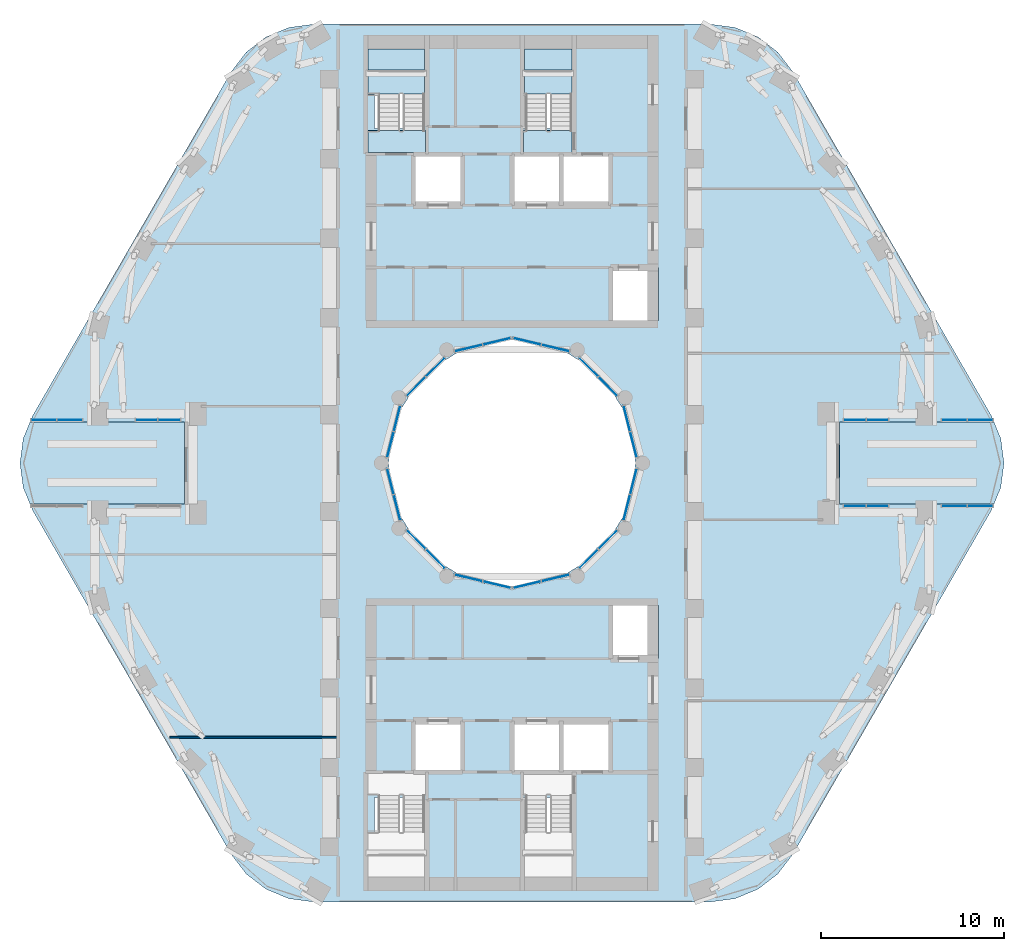
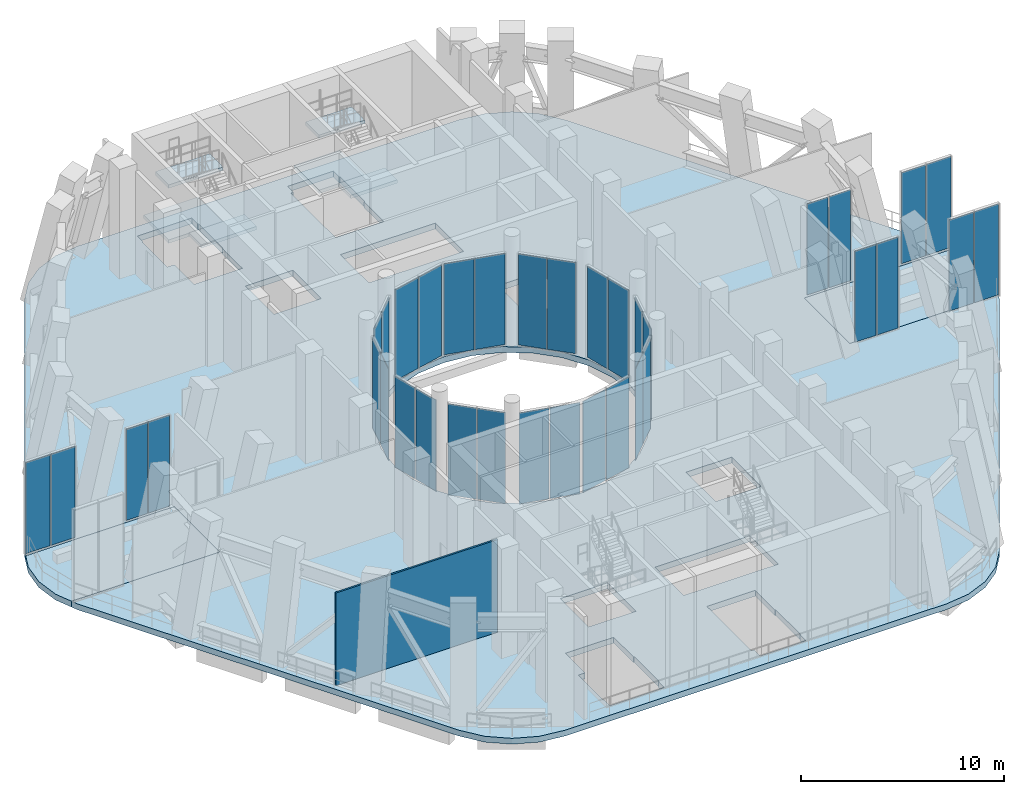
# One storey, part 7 of 19: 36 plates, 9 slabs, 1 wall, 20 elements without a shape of their own.
"""IFC4 building model written with IfcOpenShell, lengths in metres."""

from ifc_helpers import new_model, si_unit, direction, frame, frame_2d, origin, origin_2d, place, context, subcontext, project, spatial, polyline, rectangle, outline, extrude, material, layer, layer_set, type_object, element, aggregate, save


model = new_model("IFC4")

# Units and contexts
model_context = context("Model", 3, precision=1e-05, world=origin(), true_north=direction((0.0, 1.0)))
body_context = subcontext(model_context, "Body", "Model", "MODEL_VIEW")
ifc_project = project(units=[si_unit("LENGTHUNIT", "METRE"), si_unit("AREAUNIT", "SQUARE_METRE"), si_unit("VOLUMEUNIT", "CUBIC_METRE"), si_unit("PLANEANGLEUNIT", "RADIAN"), si_unit("MASSUNIT", "GRAM", prefix="KILO")], contexts=[model_context])

# Site, building, storey
site_placement = place(None, origin())
site = spatial("IfcSite", under=ifc_project, at=site_placement, CompositionType="ELEMENT")
building_placement = place(site_placement, origin())
building = spatial("IfcBuilding", under=site, at=building_placement, Name="Nakaniwa Court", CompositionType="ELEMENT")
storey_placement = place(building_placement, frame((0.0, 0.0, 170.10009765625)))
storey = spatial("IfcBuildingStorey", under=building, at=storey_placement, Name="S3", CompositionType="ELEMENT", Elevation=170.10009765625)

# Curtain wall, plates
ifc_material_1 = material(Name="Black anodised aluminium frame with dark low-E laminated double glazing", Category="aluminium")
ifc_layer_1 = layer(ifc_material_1, 0.199951171875)
ifc_layer_set_1 = layer_set([ifc_layer_1], Name="Black anodised aluminium frame with dark low-E laminated double glazing")
curtain_wall_type = type_object("IfcCurtainWallType", Name="Amenity and sky level curtain wall", PredefinedType="NOTDEFINED", material=ifc_layer_set_1)
curtain_wall_1_placement = place(storey_placement, origin())
curtain_wall_1 = element("IfcCurtainWall", 1, at=curtain_wall_1_placement, inside=storey, type_object=curtain_wall_type, Name="S3 curtain wall CW3 36", PredefinedType="NOTDEFINED")
ifc_material_2 = material(Name="Dark toughened glass", Category="glass")
ifc_layer_2 = layer(ifc_material_2, 0.006, Name="Outer pane")
ifc_material_3 = material(Name="Argon filled cavity")
ifc_layer_3 = layer(ifc_material_3, 0.016, Name="Cavity")
ifc_material_4 = material(Name="Dark laminated safety glass", Category="glass")
ifc_layer_4 = layer(ifc_material_4, 0.006, Name="Inner pane")
ifc_layer_set_2 = layer_set([ifc_layer_2, ifc_layer_3, ifc_layer_4], Name="Dark low-E laminated double glazing")
plate_type = type_object("IfcPlateType", Name="Amenity and sky level curtain wall glass panel", PredefinedType="CURTAIN_PANEL", material=ifc_layer_set_2)
plate_1_placement = place(storey_placement, frame((86.64697265625, 78.99365234375, 0.054931640625), z_axis=(0.0, 0.0, 1.0), x_axis=(-0.247113807661, -0.968986463302, 0.0)))
plate_1 = element("IfcPlate", 2, at=plate_1_placement, type_object=plate_type, Name="CW3 panel 1.1", PredefinedType="CURTAIN_PANEL", context=body_context, shape_type="SweptSolid", body=[
    extrude(rectangle(XDim=1.42236328125, YDim=0.028076171875, at=origin_2d()), origin(), (0.0, 0.0, 1.0), 5.47998046875),
])
plate_2_placement = place(storey_placement, frame((86.28173828125, 77.56201171875, 0.054931640625), z_axis=(0.0, 0.0, 1.0), x_axis=(-0.247113807661, -0.968986463302, 0.0)))
plate_2 = element("IfcPlate", 3, at=plate_2_placement, type_object=plate_type, Name="CW3 panel 2.1", PredefinedType="CURTAIN_PANEL", context=body_context, shape_type="SweptSolid", body=[
    extrude(rectangle(XDim=1.42236328125, YDim=0.028076171875, at=origin_2d()), origin(), (0.0, 0.0, 1.0), 5.47998046875),
])
aggregate(curtain_wall_1, [plate_1, plate_2])

curtain_wall_2_placement = place(storey_placement, origin())
curtain_wall_2 = element("IfcCurtainWall", 4, at=curtain_wall_2_placement, inside=storey, type_object=curtain_wall_type, Name="S3 curtain wall CW3 37", PredefinedType="NOTDEFINED")
plate_3_placement = place(storey_placement, frame((85.241943359375, 75.810791015625, 0.054931640625), z_axis=(0.0, 0.0, 1.0), x_axis=(-0.707106781187, -0.707106781187, 0.0)))
plate_3 = element("IfcPlate", 5, at=plate_3_placement, type_object=plate_type, Name="CW3 panel 1.1", PredefinedType="CURTAIN_PANEL", context=body_context, shape_type="SweptSolid", body=[
    extrude(rectangle(XDim=1.43408203125, YDim=0.028076171875, at=origin_2d()), origin(), (0.0, 0.0, 1.0), 5.47998046875),
])
plate_4_placement = place(storey_placement, frame((84.189208984375, 74.758056640625, 0.054931640625), z_axis=(0.0, 0.0, 1.0), x_axis=(-0.707106781187, -0.707106781187, 0.0)))
plate_4 = element("IfcPlate", 6, at=plate_4_placement, type_object=plate_type, Name="CW3 panel 2.1", PredefinedType="CURTAIN_PANEL", context=body_context, shape_type="SweptSolid", body=[
    extrude(rectangle(XDim=1.43408203125, YDim=0.028076171875, at=origin_2d()), origin(), (0.0, 0.0, 1.0), 5.47998046875),
])
aggregate(curtain_wall_2, [plate_3, plate_4])

curtain_wall_3_placement = place(storey_placement, origin())
curtain_wall_3 = element("IfcCurtainWall", 7, at=curtain_wall_3_placement, inside=storey, type_object=curtain_wall_type, Name="S3 curtain wall CW3 38", PredefinedType="NOTDEFINED")
plate_5_placement = place(storey_placement, frame((82.377685546875, 73.713623046875, 0.054931640625), z_axis=(0.0, 0.0, 1.0), x_axis=(-0.972765537081, -0.231791306712, 0.0)))
plate_5 = element("IfcPlate", 8, at=plate_5_placement, type_object=plate_type, Name="CW3 panel 1.1", PredefinedType="CURTAIN_PANEL", context=body_context, shape_type="SweptSolid", body=[
    extrude(rectangle(XDim=1.540283203125, YDim=0.028076171875, at=origin_2d()), origin(), (0.0, 0.0, 1.0), 5.47998046875),
])
plate_6_placement = place(storey_placement, frame((80.825927734375, 73.343994140625, 0.054931640625), z_axis=(0.0, 0.0, 1.0), x_axis=(-0.972765537081, -0.231791306712, 0.0)))
plate_6 = element("IfcPlate", 9, at=plate_6_placement, type_object=plate_type, Name="CW3 panel 2.1", PredefinedType="CURTAIN_PANEL", context=body_context, shape_type="SweptSolid", body=[
    extrude(rectangle(XDim=1.540283203125, YDim=0.028076171875, at=origin_2d()), origin(), (0.0, 0.0, 1.0), 5.47998046875),
])
aggregate(curtain_wall_3, [plate_5, plate_6])

curtain_wall_4_placement = place(storey_placement, origin())
curtain_wall_4 = element("IfcCurtainWall", 10, at=curtain_wall_4_placement, inside=storey, type_object=curtain_wall_type, Name="S3 curtain wall CW3 39", PredefinedType="NOTDEFINED")
plate_7_placement = place(storey_placement, frame((79.174072265625, 73.343994140625, 0.054931640625), z_axis=(0.0, 0.0, 1.0), x_axis=(-0.972765537081, 0.231791306712, 0.0)))
plate_7 = element("IfcPlate", 11, at=plate_7_placement, type_object=plate_type, Name="CW3 panel 1.1", PredefinedType="CURTAIN_PANEL", context=body_context, shape_type="SweptSolid", body=[
    extrude(rectangle(XDim=1.540283203125, YDim=0.028076171875, at=origin_2d()), origin(), (0.0, 0.0, 1.0), 5.47998046875),
])
plate_8_placement = place(storey_placement, frame((77.622314453125, 73.713623046875, 0.054931640625), z_axis=(0.0, 0.0, 1.0), x_axis=(-0.972765537081, 0.231791306712, 0.0)))
plate_8 = element("IfcPlate", 12, at=plate_8_placement, type_object=plate_type, Name="CW3 panel 2.1", PredefinedType="CURTAIN_PANEL", context=body_context, shape_type="SweptSolid", body=[
    extrude(rectangle(XDim=1.540283203125, YDim=0.028076171875, at=origin_2d()), origin(), (0.0, 0.0, 1.0), 5.47998046875),
])
aggregate(curtain_wall_4, [plate_7, plate_8])

curtain_wall_5_placement = place(storey_placement, origin())
curtain_wall_5 = element("IfcCurtainWall", 13, at=curtain_wall_5_placement, inside=storey, type_object=curtain_wall_type, Name="S3 curtain wall CW3 40", PredefinedType="NOTDEFINED")
plate_9_placement = place(storey_placement, frame((75.810791015625, 74.758056640625, 0.054931640625), z_axis=(0.0, 0.0, 1.0), x_axis=(-0.707106781187, 0.707106781187, 0.0)))
plate_9 = element("IfcPlate", 14, at=plate_9_placement, type_object=plate_type, Name="CW3 panel 1.1", PredefinedType="CURTAIN_PANEL", context=body_context, shape_type="SweptSolid", body=[
    extrude(rectangle(XDim=1.43408203125, YDim=0.028076171875, at=origin_2d()), origin(), (0.0, 0.0, 1.0), 5.47998046875),
])
plate_10_placement = place(storey_placement, frame((74.758056640625, 75.810791015625, 0.054931640625), z_axis=(0.0, 0.0, 1.0), x_axis=(-0.707106781187, 0.707106781187, 0.0)))
plate_10 = element("IfcPlate", 15, at=plate_10_placement, type_object=plate_type, Name="CW3 panel 2.1", PredefinedType="CURTAIN_PANEL", context=body_context, shape_type="SweptSolid", body=[
    extrude(rectangle(XDim=1.43408203125, YDim=0.028076171875, at=origin_2d()), origin(), (0.0, 0.0, 1.0), 5.47998046875),
])
aggregate(curtain_wall_5, [plate_9, plate_10])

curtain_wall_6_placement = place(storey_placement, origin())
curtain_wall_6 = element("IfcCurtainWall", 16, at=curtain_wall_6_placement, inside=storey, type_object=curtain_wall_type, Name="S3 curtain wall CW3 41", PredefinedType="NOTDEFINED")
plate_11_placement = place(storey_placement, frame((73.71826171875, 77.56201171875, 0.054931640625), z_axis=(0.0, 0.0, 1.0), x_axis=(-0.247113807661, 0.968986463302, 0.0)))
plate_11 = element("IfcPlate", 17, at=plate_11_placement, type_object=plate_type, Name="CW3 panel 1.1", PredefinedType="CURTAIN_PANEL", context=body_context, shape_type="SweptSolid", body=[
    extrude(rectangle(XDim=1.42236328125, YDim=0.028076171875, at=origin_2d()), origin(), (0.0, 0.0, 1.0), 5.47998046875),
])
plate_12_placement = place(storey_placement, frame((73.35302734375, 78.99365234375, 0.054931640625), z_axis=(0.0, 0.0, 1.0), x_axis=(-0.247113807661, 0.968986463302, 0.0)))
plate_12 = element("IfcPlate", 18, at=plate_12_placement, type_object=plate_type, Name="CW3 panel 2.1", PredefinedType="CURTAIN_PANEL", context=body_context, shape_type="SweptSolid", body=[
    extrude(rectangle(XDim=1.42236328125, YDim=0.028076171875, at=origin_2d()), origin(), (0.0, 0.0, 1.0), 5.47998046875),
])
aggregate(curtain_wall_6, [plate_11, plate_12])

curtain_wall_7_placement = place(storey_placement, origin())
curtain_wall_7 = element("IfcCurtainWall", 19, at=curtain_wall_7_placement, inside=storey, type_object=curtain_wall_type, Name="S3 curtain wall CW3 42", PredefinedType="NOTDEFINED")
plate_13_placement = place(storey_placement, frame((73.35302734375, 81.00634765625, 0.054931640625), z_axis=(0.0, 0.0, 1.0), x_axis=(0.247113807661, 0.968986463302, 0.0)))
plate_13 = element("IfcPlate", 20, at=plate_13_placement, type_object=plate_type, Name="CW3 panel 1.1", PredefinedType="CURTAIN_PANEL", context=body_context, shape_type="SweptSolid", body=[
    extrude(rectangle(XDim=1.42236328125, YDim=0.028076171875, at=origin_2d()), origin(), (0.0, 0.0, 1.0), 5.47998046875),
])
plate_14_placement = place(storey_placement, frame((73.71826171875, 82.43798828125, 0.054931640625), z_axis=(0.0, 0.0, 1.0), x_axis=(0.247113807661, 0.968986463302, 0.0)))
plate_14 = element("IfcPlate", 21, at=plate_14_placement, type_object=plate_type, Name="CW3 panel 2.1", PredefinedType="CURTAIN_PANEL", context=body_context, shape_type="SweptSolid", body=[
    extrude(rectangle(XDim=1.42236328125, YDim=0.028076171875, at=origin_2d()), origin(), (0.0, 0.0, 1.0), 5.47998046875),
])
aggregate(curtain_wall_7, [plate_13, plate_14])

curtain_wall_8_placement = place(storey_placement, origin())
curtain_wall_8 = element("IfcCurtainWall", 22, at=curtain_wall_8_placement, inside=storey, type_object=curtain_wall_type, Name="S3 curtain wall CW3 43", PredefinedType="NOTDEFINED")
plate_15_placement = place(storey_placement, frame((74.758056640625, 84.189208984375, 0.054931640625), z_axis=(0.0, 0.0, 1.0), x_axis=(0.707106781187, 0.707106781187, 0.0)))
plate_15 = element("IfcPlate", 23, at=plate_15_placement, type_object=plate_type, Name="CW3 panel 1.1", PredefinedType="CURTAIN_PANEL", context=body_context, shape_type="SweptSolid", body=[
    extrude(rectangle(XDim=1.43408203125, YDim=0.028076171875, at=origin_2d()), origin(), (0.0, 0.0, 1.0), 5.47998046875),
])
plate_16_placement = place(storey_placement, frame((75.810791015625, 85.241943359375, 0.054931640625), z_axis=(0.0, 0.0, 1.0), x_axis=(0.707106781187, 0.707106781187, 0.0)))
plate_16 = element("IfcPlate", 24, at=plate_16_placement, type_object=plate_type, Name="CW3 panel 2.1", PredefinedType="CURTAIN_PANEL", context=body_context, shape_type="SweptSolid", body=[
    extrude(rectangle(XDim=1.43408203125, YDim=0.028076171875, at=origin_2d()), origin(), (0.0, 0.0, 1.0), 5.47998046875),
])
aggregate(curtain_wall_8, [plate_15, plate_16])

curtain_wall_9_placement = place(storey_placement, origin())
curtain_wall_9 = element("IfcCurtainWall", 25, at=curtain_wall_9_placement, inside=storey, type_object=curtain_wall_type, Name="S3 curtain wall CW3 44", PredefinedType="NOTDEFINED")
plate_17_placement = place(storey_placement, frame((77.622314453125, 86.286376953125, 0.054931640625), z_axis=(0.0, 0.0, 1.0), x_axis=(0.972765537081, 0.231791306712, 0.0)))
plate_17 = element("IfcPlate", 26, at=plate_17_placement, type_object=plate_type, Name="CW3 panel 1.1", PredefinedType="CURTAIN_PANEL", context=body_context, shape_type="SweptSolid", body=[
    extrude(rectangle(XDim=1.540283203125, YDim=0.028076171875, at=origin_2d()), origin(), (0.0, 0.0, 1.0), 5.47998046875),
])
plate_18_placement = place(storey_placement, frame((79.174072265625, 86.656005859375, 0.054931640625), z_axis=(0.0, 0.0, 1.0), x_axis=(0.972765537081, 0.231791306712, 0.0)))
plate_18 = element("IfcPlate", 27, at=plate_18_placement, type_object=plate_type, Name="CW3 panel 2.1", PredefinedType="CURTAIN_PANEL", context=body_context, shape_type="SweptSolid", body=[
    extrude(rectangle(XDim=1.540283203125, YDim=0.028076171875, at=origin_2d()), origin(), (0.0, 0.0, 1.0), 5.47998046875),
])
aggregate(curtain_wall_9, [plate_17, plate_18])

curtain_wall_10_placement = place(storey_placement, origin())
curtain_wall_10 = element("IfcCurtainWall", 28, at=curtain_wall_10_placement, inside=storey, type_object=curtain_wall_type, Name="S3 curtain wall CW3 45", PredefinedType="NOTDEFINED")
plate_19_placement = place(storey_placement, frame((80.825927734375, 86.656005859375, 0.054931640625), z_axis=(0.0, 0.0, 1.0), x_axis=(0.972765537081, -0.231791306712, 0.0)))
plate_19 = element("IfcPlate", 29, at=plate_19_placement, type_object=plate_type, Name="CW3 panel 1.1", PredefinedType="CURTAIN_PANEL", context=body_context, shape_type="SweptSolid", body=[
    extrude(rectangle(XDim=1.540283203125, YDim=0.028076171875, at=origin_2d()), origin(), (0.0, 0.0, 1.0), 5.47998046875),
])
plate_20_placement = place(storey_placement, frame((82.377685546875, 86.286376953125, 0.054931640625), z_axis=(0.0, 0.0, 1.0), x_axis=(0.972765537081, -0.231791306712, 0.0)))
plate_20 = element("IfcPlate", 30, at=plate_20_placement, type_object=plate_type, Name="CW3 panel 2.1", PredefinedType="CURTAIN_PANEL", context=body_context, shape_type="SweptSolid", body=[
    extrude(rectangle(XDim=1.540283203125, YDim=0.028076171875, at=origin_2d()), origin(), (0.0, 0.0, 1.0), 5.47998046875),
])
aggregate(curtain_wall_10, [plate_19, plate_20])

curtain_wall_11_placement = place(storey_placement, origin())
curtain_wall_11 = element("IfcCurtainWall", 31, at=curtain_wall_11_placement, inside=storey, type_object=curtain_wall_type, Name="S3 curtain wall CW3 46", PredefinedType="NOTDEFINED")
plate_21_placement = place(storey_placement, frame((84.189208984375, 85.241943359375, 0.054931640625), z_axis=(0.0, 0.0, 1.0), x_axis=(0.707106781187, -0.707106781187, 0.0)))
plate_21 = element("IfcPlate", 32, at=plate_21_placement, type_object=plate_type, Name="CW3 panel 1.1", PredefinedType="CURTAIN_PANEL", context=body_context, shape_type="SweptSolid", body=[
    extrude(rectangle(XDim=1.43408203125, YDim=0.028076171875, at=origin_2d()), origin(), (0.0, 0.0, 1.0), 5.47998046875),
])
plate_22_placement = place(storey_placement, frame((85.241943359375, 84.189208984375, 0.054931640625), z_axis=(0.0, 0.0, 1.0), x_axis=(0.707106781187, -0.707106781187, 0.0)))
plate_22 = element("IfcPlate", 33, at=plate_22_placement, type_object=plate_type, Name="CW3 panel 2.1", PredefinedType="CURTAIN_PANEL", context=body_context, shape_type="SweptSolid", body=[
    extrude(rectangle(XDim=1.43408203125, YDim=0.028076171875, at=origin_2d()), origin(), (0.0, 0.0, 1.0), 5.47998046875),
])
aggregate(curtain_wall_11, [plate_21, plate_22])

curtain_wall_12_placement = place(storey_placement, origin())
curtain_wall_12 = element("IfcCurtainWall", 34, at=curtain_wall_12_placement, inside=storey, type_object=curtain_wall_type, Name="S3 curtain wall CW3 47", PredefinedType="NOTDEFINED")
plate_23_placement = place(storey_placement, frame((86.28173828125, 82.43798828125, 0.054931640625), z_axis=(0.0, 0.0, 1.0), x_axis=(0.247113807661, -0.968986463302, 0.0)))
plate_23 = element("IfcPlate", 35, at=plate_23_placement, type_object=plate_type, Name="CW3 panel 1.1", PredefinedType="CURTAIN_PANEL", context=body_context, shape_type="SweptSolid", body=[
    extrude(rectangle(XDim=1.42236328125, YDim=0.028076171875, at=origin_2d()), origin(), (0.0, 0.0, 1.0), 5.47998046875),
])
plate_24_placement = place(storey_placement, frame((86.64697265625, 81.00634765625, 0.054931640625), z_axis=(0.0, 0.0, 1.0), x_axis=(0.247113807661, -0.968986463302, 0.0)))
plate_24 = element("IfcPlate", 36, at=plate_24_placement, type_object=plate_type, Name="CW3 panel 2.1", PredefinedType="CURTAIN_PANEL", context=body_context, shape_type="SweptSolid", body=[
    extrude(rectangle(XDim=1.42236328125, YDim=0.028076171875, at=origin_2d()), origin(), (0.0, 0.0, 1.0), 5.47998046875),
])
aggregate(curtain_wall_12, [plate_23, plate_24])

curtain_wall_13_placement = place(storey_placement, origin())
curtain_wall_13 = element("IfcCurtainWall", 37, at=curtain_wall_13_placement, inside=storey, type_object=curtain_wall_type, Name="S3 curtain wall CW3 15", PredefinedType="NOTDEFINED")
plate_25_placement = place(storey_placement, frame((54.385498046875, 82.35009765625, 0.054931640625), z_axis=(0.0, 0.0, 1.0), x_axis=(1.0, 0.0, 0.0)))
plate_25 = element("IfcPlate", 38, at=plate_25_placement, type_object=plate_type, Name="CW3 panel 1.1", PredefinedType="CURTAIN_PANEL", context=body_context, shape_type="SweptSolid", body=[
    extrude(rectangle(XDim=1.374267578125, YDim=0.028076171875, at=origin_2d()), origin(), (0.0, 0.0, 1.0), 5.47998046875),
])
plate_26_placement = place(storey_placement, frame((55.814697265625, 82.35009765625, 0.054931640625), z_axis=(0.0, 0.0, 1.0), x_axis=(1.0, 0.0, 0.0)))
plate_26 = element("IfcPlate", 39, at=plate_26_placement, type_object=plate_type, Name="CW3 panel 2.1", PredefinedType="CURTAIN_PANEL", context=body_context, shape_type="SweptSolid", body=[
    extrude(rectangle(XDim=1.374267578125, YDim=0.028076171875, at=origin_2d()), origin(), (0.0, 0.0, 1.0), 5.47998046875),
])
aggregate(curtain_wall_13, [plate_25, plate_26])

curtain_wall_14_placement = place(storey_placement, origin())
curtain_wall_14 = element("IfcCurtainWall", 40, at=curtain_wall_14_placement, inside=storey, type_object=curtain_wall_type, Name="S3 curtain wall CW3 16", PredefinedType="NOTDEFINED")
plate_27_placement = place(storey_placement, frame((60.01123046875, 82.35009765625, 0.054931640625), z_axis=(0.0, 0.0, 1.0), x_axis=(1.0, 0.0, 0.0)))
plate_27 = element("IfcPlate", 41, at=plate_27_placement, type_object=plate_type, Name="CW3 panel 1.1", PredefinedType="CURTAIN_PANEL", context=body_context, shape_type="SweptSolid", body=[
    extrude(rectangle(XDim=1.199951171875, YDim=0.028076171875, at=origin_2d()), origin(), (0.0, 0.0, 1.0), 5.47998046875),
])
plate_28_placement = place(storey_placement, frame((61.266357421875, 82.35009765625, 0.054931640625), z_axis=(0.0, 0.0, 1.0), x_axis=(1.0, 0.0, 0.0)))
plate_28 = element("IfcPlate", 42, at=plate_28_placement, type_object=plate_type, Name="CW3 panel 2.1", PredefinedType="CURTAIN_PANEL", context=body_context, shape_type="SweptSolid", body=[
    extrude(rectangle(XDim=1.199951171875, YDim=0.028076171875, at=origin_2d()), origin(), (0.0, 0.0, 1.0), 5.47998046875),
])
aggregate(curtain_wall_14, [plate_27, plate_28])

curtain_wall_15_placement = place(storey_placement, origin())
curtain_wall_15 = element("IfcCurtainWall", 43, at=curtain_wall_15_placement, inside=storey, type_object=curtain_wall_type, Name="S3 curtain wall CW3 00", PredefinedType="NOTDEFINED")
plate_29_placement = place(storey_placement, frame((98.733642578125, 82.35009765625, 0.054931640625), z_axis=(0.0, 0.0, 1.0), x_axis=(1.0, 0.0, 0.0)))
plate_29 = element("IfcPlate", 44, at=plate_29_placement, type_object=plate_type, Name="CW3 panel 1.1", PredefinedType="CURTAIN_PANEL", context=body_context, shape_type="SweptSolid", body=[
    extrude(rectangle(XDim=1.199951171875, YDim=0.028076171875, at=origin_2d()), origin(), (0.0, 0.0, 1.0), 5.47998046875),
])
plate_30_placement = place(storey_placement, frame((99.98876953125, 82.35009765625, 0.054931640625), z_axis=(0.0, 0.0, 1.0), x_axis=(1.0, 0.0, 0.0)))
plate_30 = element("IfcPlate", 45, at=plate_30_placement, type_object=plate_type, Name="CW3 panel 2.1", PredefinedType="CURTAIN_PANEL", context=body_context, shape_type="SweptSolid", body=[
    extrude(rectangle(XDim=1.199951171875, YDim=0.028076171875, at=origin_2d()), origin(), (0.0, 0.0, 1.0), 5.47998046875),
])
aggregate(curtain_wall_15, [plate_29, plate_30])

curtain_wall_16_placement = place(storey_placement, origin())
curtain_wall_16 = element("IfcCurtainWall", 46, at=curtain_wall_16_placement, inside=storey, type_object=curtain_wall_type, Name="S3 curtain wall CW3 01", PredefinedType="NOTDEFINED")
plate_31_placement = place(storey_placement, frame((104.185302734375, 82.35009765625, 0.054931640625), z_axis=(0.0, 0.0, 1.0), x_axis=(1.0, 0.0, 0.0)))
plate_31 = element("IfcPlate", 47, at=plate_31_placement, type_object=plate_type, Name="CW3 panel 1.1", PredefinedType="CURTAIN_PANEL", context=body_context, shape_type="SweptSolid", body=[
    extrude(rectangle(XDim=1.374267578125, YDim=0.028076171875, at=origin_2d()), origin(), (0.0, 0.0, 1.0), 5.47998046875),
])
plate_32_placement = place(storey_placement, frame((105.614501953125, 82.35009765625, 0.054931640625), z_axis=(0.0, 0.0, 1.0), x_axis=(1.0, 0.0, 0.0)))
plate_32 = element("IfcPlate", 48, at=plate_32_placement, type_object=plate_type, Name="CW3 panel 2.1", PredefinedType="CURTAIN_PANEL", context=body_context, shape_type="SweptSolid", body=[
    extrude(rectangle(XDim=1.374267578125, YDim=0.028076171875, at=origin_2d()), origin(), (0.0, 0.0, 1.0), 5.47998046875),
])
aggregate(curtain_wall_16, [plate_31, plate_32])

curtain_wall_17_placement = place(storey_placement, origin())
curtain_wall_17 = element("IfcCurtainWall", 49, at=curtain_wall_17_placement, inside=storey, type_object=curtain_wall_type, Name="S3 curtain wall CW3 33", PredefinedType="NOTDEFINED")
plate_33_placement = place(storey_placement, frame((105.614501953125, 77.64990234375, 0.054931640625), z_axis=(0.0, 0.0, 1.0), x_axis=(-1.0, 0.0, 0.0)))
plate_33 = element("IfcPlate", 50, at=plate_33_placement, type_object=plate_type, Name="CW3 panel 1.1", PredefinedType="CURTAIN_PANEL", context=body_context, shape_type="SweptSolid", body=[
    extrude(rectangle(XDim=1.374267578125, YDim=0.028076171875, at=origin_2d()), origin(), (0.0, 0.0, 1.0), 5.47998046875),
])
plate_34_placement = place(storey_placement, frame((104.185302734375, 77.64990234375, 0.054931640625), z_axis=(0.0, 0.0, 1.0), x_axis=(-1.0, 0.0, 0.0)))
plate_34 = element("IfcPlate", 51, at=plate_34_placement, type_object=plate_type, Name="CW3 panel 2.1", PredefinedType="CURTAIN_PANEL", context=body_context, shape_type="SweptSolid", body=[
    extrude(rectangle(XDim=1.374267578125, YDim=0.028076171875, at=origin_2d()), origin(), (0.0, 0.0, 1.0), 5.47998046875),
])
aggregate(curtain_wall_17, [plate_33, plate_34])

curtain_wall_18_placement = place(storey_placement, origin())
curtain_wall_18 = element("IfcCurtainWall", 52, at=curtain_wall_18_placement, inside=storey, type_object=curtain_wall_type, Name="S3 curtain wall CW3 34", PredefinedType="NOTDEFINED")
plate_35_placement = place(storey_placement, frame((99.98876953125, 77.64990234375, 0.054931640625), z_axis=(0.0, 0.0, 1.0), x_axis=(-1.0, 0.0, 0.0)))
plate_35 = element("IfcPlate", 53, at=plate_35_placement, type_object=plate_type, Name="CW3 panel 1.1", PredefinedType="CURTAIN_PANEL", context=body_context, shape_type="SweptSolid", body=[
    extrude(rectangle(XDim=1.199951171875, YDim=0.028076171875, at=origin_2d()), origin(), (0.0, 0.0, 1.0), 5.47998046875),
])
plate_36_placement = place(storey_placement, frame((98.733642578125, 77.64990234375, 0.054931640625), z_axis=(0.0, 0.0, 1.0), x_axis=(-1.0, 0.0, 0.0)))
plate_36 = element("IfcPlate", 54, at=plate_36_placement, type_object=plate_type, Name="CW3 panel 2.1", PredefinedType="CURTAIN_PANEL", context=body_context, shape_type="SweptSolid", body=[
    extrude(rectangle(XDim=1.199951171875, YDim=0.028076171875, at=origin_2d()), origin(), (0.0, 0.0, 1.0), 5.47998046875),
])
aggregate(curtain_wall_18, [plate_35, plate_36])

# Slabs
ifc_material_5 = material(Name="Concrete C80/100", Category="concrete")
ifc_layer_5 = layer(ifc_material_5, 0.35009765625)
ifc_layer_set_3 = layer_set([ifc_layer_5], Name="Concrete C80/100")
slab_type_1 = type_object("IfcSlabType", Name="Concrete C80/100 post tensioned floor slab 350", PredefinedType="FLOOR", material=ifc_layer_set_3)
slab_1_placement = place(storey_placement, frame((0.0, 0.0, -0.35009765625)))
element("IfcSlab", 55, at=slab_1_placement, inside=storey, type_object=slab_type_1, Name="FLOOR SLAB", PredefinedType="FLOOR", context=body_context, shape_type="SweptSolid", body=[
    extrude(outline(polyline([(97.908447265625, 82.25), (106.356689453125, 82.25), (106.211669921875, 82.60009765625), (95.357421875, 101.39990234375), (94.531005859375, 102.47705078125), (93.4541015625, 103.30322265625), (92.199951171875, 103.82275390625), (90.854248046875, 104.0), (69.145751953125, 104.0), (67.800048828125, 103.82275390625), (66.5458984375, 103.30322265625), (65.468994140625, 102.47705078125), (64.642578125, 101.39990234375), (53.788330078125, 82.60009765625), (53.643310546875, 82.25), (62.091552734375, 82.25), (62.091552734375, 77.75), (53.643310546875, 77.75), (53.788330078125, 77.39990234375), (64.642578125, 58.60009765625), (65.468994140625, 57.52294921875), (66.5458984375, 56.69677734375), (67.800048828125, 56.17724609375), (69.145751953125, 56.0), (90.854248046875, 56.0), (92.199951171875, 56.17724609375), (93.4541015625, 56.69677734375), (94.531005859375, 57.52294921875), (95.357421875, 58.60009765625), (106.211669921875, 77.39990234375), (106.356689453125, 77.75), (97.908447265625, 77.75), (97.908447265625, 82.25)]), holes=[polyline([(81.501953125, 86.580810546875), (80.0, 86.75), (78.498046875, 86.580810546875), (77.0712890625, 86.08154296875), (75.79150390625, 85.27734375), (74.72265625, 84.20849609375), (73.91845703125, 82.9287109375), (73.419189453125, 81.501953125), (73.25, 80.0), (73.419189453125, 78.498046875), (73.91845703125, 77.0712890625), (74.72265625, 75.79150390625), (75.79150390625, 74.72265625), (77.0712890625, 73.91845703125), (78.498046875, 73.419189453125), (80.0, 73.25), (81.501953125, 73.419189453125), (82.9287109375, 73.91845703125), (84.20849609375, 74.72265625), (85.27734375, 75.79150390625), (86.08154296875, 77.0712890625), (86.580810546875, 78.498046875), (86.75, 80.0), (86.580810546875, 81.501953125), (86.08154296875, 82.9287109375), (85.27734375, 84.20849609375), (84.20849609375, 85.27734375), (82.9287109375, 86.08154296875), (81.501953125, 86.580810546875)]), polyline([(72.47509765625, 61.7099609375), (72.47509765625, 59.764892578125), (72.0849609375, 59.764892578125), (72.0849609375, 57.31005859375), (72.125, 57.31005859375), (72.125, 56.72509765625), (75.22509765625, 56.72509765625), (75.22509765625, 57.31005859375), (75.264892578125, 57.31005859375), (75.264892578125, 59.764892578125), (75.22509765625, 59.764892578125), (75.22509765625, 61.7099609375), (72.47509765625, 61.7099609375)]), polyline([(77.300048828125, 65.89990234375), (74.60009765625, 65.89990234375), (74.60009765625, 63.10009765625), (77.300048828125, 63.10009765625), (77.300048828125, 65.89990234375)]), polyline([(80.0, 65.89990234375), (80.0, 63.10009765625), (82.699951171875, 63.10009765625), (85.39990234375, 63.10009765625), (85.39990234375, 65.89990234375), (82.699951171875, 65.89990234375), (80.0, 65.89990234375)]), polyline([(77.300048828125, 96.89990234375), (74.60009765625, 96.89990234375), (74.60009765625, 94.10009765625), (77.300048828125, 94.10009765625), (77.300048828125, 96.89990234375)]), polyline([(80.0, 96.89990234375), (80.0, 94.10009765625), (82.699951171875, 94.10009765625), (85.39990234375, 94.10009765625), (85.39990234375, 96.89990234375), (82.699951171875, 96.89990234375), (80.0, 96.89990234375)]), polyline([(75.264892578125, 100.235107421875), (75.264892578125, 102.68994140625), (75.22509765625, 102.68994140625), (75.22509765625, 103.27490234375), (72.125, 103.27490234375), (72.125, 102.68994140625), (72.0849609375, 102.68994140625), (72.0849609375, 100.235107421875), (72.47509765625, 100.235107421875), (72.47509765625, 98.2900390625), (75.22509765625, 98.2900390625), (75.22509765625, 100.235107421875), (75.264892578125, 100.235107421875)]), polyline([(83.27490234375, 61.7099609375), (80.52490234375, 61.7099609375), (80.52490234375, 57.324951171875), (80.635009765625, 57.324951171875), (80.635009765625, 57.31005859375), (80.675048828125, 57.31005859375), (80.675048828125, 56.72509765625), (83.27490234375, 56.72509765625), (83.27490234375, 57.31005859375), (83.31494140625, 57.31005859375), (83.31494140625, 59.764892578125), (83.27490234375, 59.764892578125), (83.27490234375, 61.7099609375)]), polyline([(88.0, 72.199951171875), (85.39990234375, 72.199951171875), (85.39990234375, 69.300048828125), (88.0, 69.300048828125), (88.0, 72.199951171875)]), polyline([(88.0, 90.699951171875), (85.39990234375, 90.699951171875), (85.39990234375, 87.800048828125), (88.0, 87.800048828125), (88.0, 90.699951171875)]), polyline([(83.31494140625, 100.235107421875), (83.31494140625, 102.68994140625), (83.27490234375, 102.68994140625), (83.27490234375, 103.27490234375), (80.675048828125, 103.27490234375), (80.675048828125, 102.68994140625), (80.635009765625, 102.68994140625), (80.635009765625, 102.675048828125), (80.52490234375, 102.675048828125), (80.52490234375, 98.2900390625), (83.27490234375, 98.2900390625), (83.27490234375, 100.235107421875), (83.31494140625, 100.235107421875)])]), origin(), (0.0, 0.0, 1.0), 0.35009765625),
])
slab_2_placement = place(storey_placement, frame((0.0, 0.0, -0.35009765625)))
element("IfcSlab", 56, at=slab_2_placement, inside=storey, type_object=slab_type_1, Name="BRIDGING TERRACE", PredefinedType="FLOOR", context=body_context, shape_type="SweptSolid", body=[
    extrude(outline(polyline([(53.643310546875, 82.25), (53.268798828125, 81.345947265625), (53.091552734375, 80.0), (53.268798828125, 78.654052734375), (53.643310546875, 77.75), (62.091552734375, 77.75), (62.091552734375, 82.25), (53.643310546875, 82.25)])), origin(), (0.0, 0.0, 1.0), 0.35009765625),
])
slab_3_placement = place(storey_placement, frame((0.0, 0.0, -0.35009765625)))
element("IfcSlab", 57, at=slab_3_placement, inside=storey, type_object=slab_type_1, Name="BRIDGING TERRACE", PredefinedType="FLOOR", context=body_context, shape_type="SweptSolid", body=[
    extrude(outline(polyline([(97.908447265625, 77.75), (106.356689453125, 77.75), (106.731201171875, 78.654052734375), (106.908447265625, 80.0), (106.731201171875, 81.345947265625), (106.356689453125, 82.25), (97.908447265625, 82.25), (97.908447265625, 77.75)])), origin(), (0.0, 0.0, 1.0), 0.35009765625),
])

# Stair, slabs
stair_type = type_object("IfcStairType", Name="Dog leg stair 1200 wide 36 risers", PredefinedType="HALF_TURN_STAIR", material=ifc_material_5)
stair_1_placement = place(storey_placement, origin())
stair_1 = element("IfcStair", 58, at=stair_1_placement, inside=storey, type_object=stair_type, Name="S3 Stair ST1", PredefinedType="HALF_TURN_STAIR")
ifc_layer_6 = layer(ifc_material_5, 0.199951171875)
ifc_layer_set_4 = layer_set([ifc_layer_6], Name="Concrete C80/100")
slab_type_2 = type_object("IfcSlabType", Name="Stair landing concrete", PredefinedType="LANDING", material=ifc_layer_set_4)
slab_4_placement = place(storey_placement, frame((0.0, 0.0, 1.449951171875)))
slab_4 = element("IfcSlab", 59, at=slab_4_placement, type_object=slab_type_2, Name="ST1 landing 1", PredefinedType="LANDING", context=body_context, shape_type="SweptSolid", body=[
    extrude(outline(polyline([(75.22509765625, 100.175048828125), (75.22509765625, 102.64990234375), (72.125, 102.64990234375), (72.125, 100.175048828125), (75.22509765625, 100.175048828125)])), origin(), (0.0, 0.0, 1.0), 0.199951171875),
])
slab_5_placement = place(storey_placement, frame((0.0, 0.0, 3.099853515625)))
slab_5 = element("IfcSlab", 60, at=slab_5_placement, type_object=slab_type_2, Name="ST1 landing 2", PredefinedType="LANDING", context=body_context, shape_type="SweptSolid", body=[
    extrude(outline(polyline([(75.27490234375, 96.97509765625), (75.27490234375, 98.175048828125), (72.125, 98.175048828125), (72.125, 96.97509765625), (75.27490234375, 96.97509765625)])), origin(), (0.0, 0.0, 1.0), 0.199951171875),
])
slab_6_placement = place(storey_placement, frame((0.0, 0.0, 4.75)))
slab_6 = element("IfcSlab", 61, at=slab_6_placement, type_object=slab_type_2, Name="ST1 landing 3", PredefinedType="LANDING", context=body_context, shape_type="SweptSolid", body=[
    extrude(outline(polyline([(75.22509765625, 100.175048828125), (75.22509765625, 101.5), (72.125, 101.5), (72.125, 100.175048828125), (75.22509765625, 100.175048828125)])), origin(), (0.0, 0.0, 1.0), 0.199951171875),
])
aggregate(stair_1, [slab_4, slab_5, slab_6])

stair_2_placement = place(storey_placement, origin())
stair_2 = element("IfcStair", 62, at=stair_2_placement, inside=storey, type_object=stair_type, Name="S3 Stair ST2", PredefinedType="HALF_TURN_STAIR")
slab_7_placement = place(storey_placement, frame((0.0, 0.0, 1.449951171875)))
slab_7 = element("IfcSlab", 63, at=slab_7_placement, type_object=slab_type_2, Name="ST2 landing 1", PredefinedType="LANDING", context=body_context, shape_type="SweptSolid", body=[
    extrude(outline(polyline([(83.27490234375, 100.175048828125), (83.27490234375, 102.64990234375), (80.675048828125, 102.64990234375), (80.675048828125, 100.175048828125), (83.27490234375, 100.175048828125)])), origin(), (0.0, 0.0, 1.0), 0.199951171875),
])
slab_8_placement = place(storey_placement, frame((0.0, 0.0, 3.099853515625)))
slab_8 = element("IfcSlab", 64, at=slab_8_placement, type_object=slab_type_2, Name="ST2 landing 2", PredefinedType="LANDING", context=body_context, shape_type="SweptSolid", body=[
    extrude(outline(polyline([(83.27490234375, 96.97509765625), (83.27490234375, 98.175048828125), (80.625, 98.175048828125), (80.625, 96.97509765625), (83.27490234375, 96.97509765625)])), origin(), (0.0, 0.0, 1.0), 0.199951171875),
])
slab_9_placement = place(storey_placement, frame((0.0, 0.0, 4.75)))
slab_9 = element("IfcSlab", 65, at=slab_9_placement, type_object=slab_type_2, Name="ST2 landing 3", PredefinedType="LANDING", context=body_context, shape_type="SweptSolid", body=[
    extrude(outline(polyline([(83.27490234375, 100.175048828125), (83.27490234375, 101.5), (80.675048828125, 101.5), (80.675048828125, 100.175048828125), (83.27490234375, 100.175048828125)])), origin(), (0.0, 0.0, 1.0), 0.199951171875),
])
aggregate(stair_2, [slab_7, slab_8, slab_9])

# Wall
ifc_material_6 = material(Name="Single stud plasterboard partition")
ifc_layer_7 = layer(ifc_material_6, 0.10009765625)
ifc_layer_set_5 = layer_set([ifc_layer_7], Name="Single stud plasterboard partition")
wall_type = type_object("IfcWallType", Name="Single stud plasterboard partition 100", PredefinedType="PARTITIONING", material=ifc_layer_set_5)
wall_placement = place(storey_placement, frame((61.2939453125, 65.0, 0.0), z_axis=(0.0, 0.0, 1.0), x_axis=(1.0, 0.0, 0.0)))
element("IfcWall", 66, at=wall_placement, inside=storey, type_object=wall_type, Name="Partition PW-085", PredefinedType="PARTITIONING", context=body_context, shape_type="SweptSolid", body=[
    extrude(rectangle(XDim=9.2060546875, YDim=0.10009765625, at=frame_2d((4.60302734375, 0.0))), origin(), (0.0, 0.0, 1.0), 5.56982421875),
])

save(model, "model.ifc")
